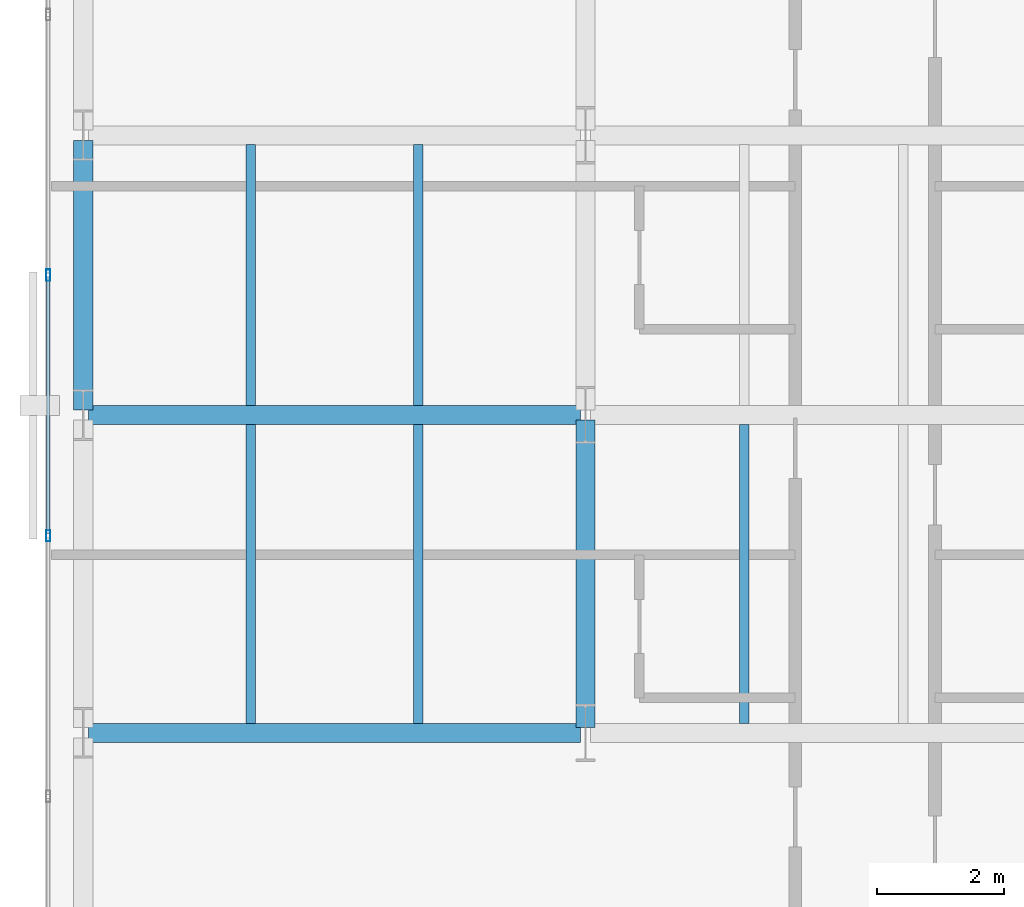
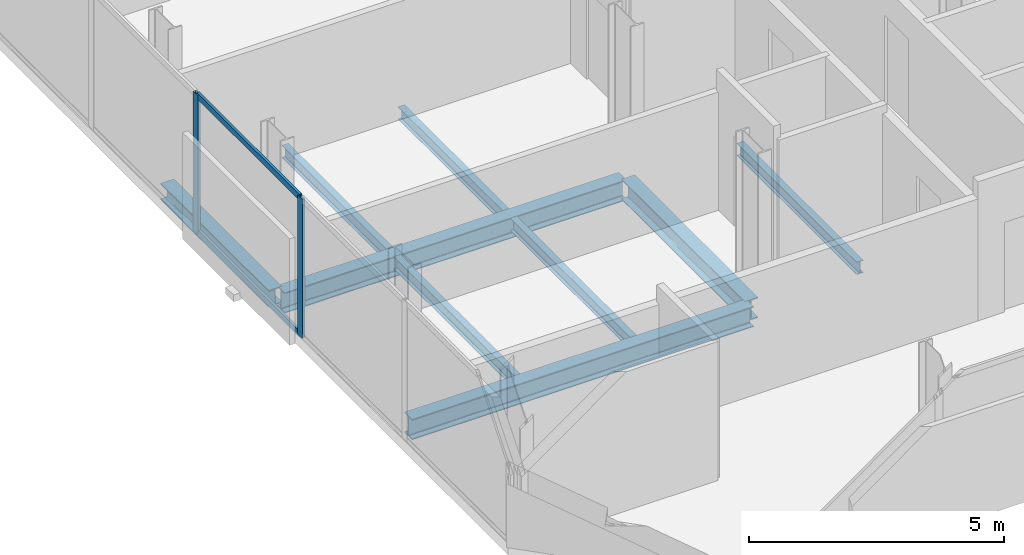
# One storey, part 5 of 32: 9 beams, 4 members, 1 element without a shape of its own.
"""IFC4 building model written with IfcOpenShell, lengths in metres."""

from ifc_helpers import new_model, si_unit, direction, frame, origin, origin_2d, place, context, subcontext, project, spatial, hollow_rectangle, i_section, extrude, material, layer, layer_set, material_profile, profile_set, type_object, element, aggregate, save


model = new_model("IFC4")

# Units and contexts
model_context = context("Model", 3, precision=1e-05, world=origin(), true_north=direction((0.0, 1.0)))
body_context = subcontext(model_context, "Body", "Model", "MODEL_VIEW")
ifc_project = project(units=[si_unit("LENGTHUNIT", "METRE"), si_unit("AREAUNIT", "SQUARE_METRE"), si_unit("VOLUMEUNIT", "CUBIC_METRE"), si_unit("PLANEANGLEUNIT", "RADIAN"), si_unit("MASSUNIT", "GRAM", prefix="KILO")], contexts=[model_context])

# Site, building, storey
site_placement = place(None, origin())
site = spatial("IfcSite", under=ifc_project, at=site_placement, CompositionType="ELEMENT")
building_placement = place(site_placement, origin())
building = spatial("IfcBuilding", under=site, at=building_placement, Name="Catumbela Crestline Tower", CompositionType="ELEMENT")
storey_placement = place(building_placement, frame((0.0, 0.0, 69.0)))
storey = spatial("IfcBuildingStorey", under=building, at=storey_placement, Name="L17", CompositionType="ELEMENT", Elevation=69.0)

# Beams
ifc_material_1 = material(Name="Structural steel S355J2", Category="steel")
ifc_material_profile_1 = material_profile(ifc_material_1, i_section(OverallWidth=0.3, OverallDepth=0.49, WebThickness=0.012, FlangeThickness=0.023, FilletRadius=0.027, at=origin_2d()), Name="HEA 500")
ifc_profile_set_1 = profile_set([ifc_material_profile_1], Name="Structural steel S355J2")
beam_type_1 = type_object("IfcBeamType", Name="BG-HEA500", PredefinedType="BEAM", material=ifc_profile_set_1)
for number, where, z_axis, x_axis, name in (
    (1, (0.68, 8.6, -0.505), (1.0, 0.0, 0.0), (0.0, 1.0, 0.0), "L17 Beam BM-L17-WEW48"),
    (2, (0.68, 13.6, -0.505), (1.0, 0.0, 0.0), (0.0, 1.0, 0.0), "L17 Beam BM-L17-WEW51"),
):
    element("IfcBeam", number, at=place(storey_placement, frame(where, z_axis=z_axis, x_axis=x_axis)), inside=storey, type_object=beam_type_1, Name=name, PredefinedType="BEAM", context=body_context, shape_type="SweptSolid", body=[
        extrude(i_section(OverallWidth=0.3, OverallDepth=0.49, WebThickness=0.012, FlangeThickness=0.023, FilletRadius=0.027, at=origin_2d()), origin(), (0.0, 0.0, 1.0), 7.74),
    ])
beam_1_placement = place(storey_placement, frame((8.5, 8.68, -0.505), z_axis=(0.0, 1.0, 0.0), x_axis=(-1.0, 0.0, 0.0)))
element("IfcBeam", 3, at=beam_1_placement, inside=storey, type_object=beam_type_1, Name="L17 Beam BM-L17-WNS61", PredefinedType="BEAM", context=body_context, shape_type="SweptSolid", body=[
    extrude(i_section(OverallWidth=0.3, OverallDepth=0.49, WebThickness=0.012, FlangeThickness=0.023, FilletRadius=0.027, at=origin_2d()), origin(), (0.0, 0.0, 1.0), 4.84),
])
ifc_material_profile_2 = material_profile(ifc_material_1, i_section(OverallWidth=0.15, OverallDepth=0.3, WebThickness=0.0071, FlangeThickness=0.0107, FilletRadius=0.015, at=origin_2d()), Name="IPE 300")
ifc_profile_set_2 = profile_set([ifc_material_profile_2], Name="Structural steel S355J2")
beam_type_2 = type_object("IfcBeamType", Name="BJ-IPE300", PredefinedType="JOIST", material=ifc_profile_set_2)
for number, where, z_axis, x_axis, name in (
    (4, (3.233, 8.747, -0.41), (0.0, 1.0, 0.0), (-1.0, 0.0, 0.0), "L17 Joist JS-L17-WG70"),
    (5, (5.867, 8.747, -0.41), (0.0, 1.0, 0.0), (-1.0, 0.0, 0.0), "L17 Joist JS-L17-WG71"),
    (6, (11.0, 8.747, -0.41), (0.0, 1.0, 0.0), (-1.0, 0.0, 0.0), "L17 Joist JS-L17-WG72"),
):
    element("IfcBeam", number, at=place(storey_placement, frame(where, z_axis=z_axis, x_axis=x_axis)), inside=storey, type_object=beam_type_2, Name=name, PredefinedType="JOIST", context=body_context, shape_type="SweptSolid", body=[
        extrude(i_section(OverallWidth=0.15, OverallDepth=0.3, WebThickness=0.0071, FlangeThickness=0.0107, FilletRadius=0.015, at=origin_2d()), origin(), (0.0, 0.0, 1.0), 4.706),
    ])
for number, where, z_axis, x_axis, name in (
    (7, (3.233, 13.747, -0.41), (0.0, 1.0, 0.0), (-1.0, 0.0, 0.0), "L17 Joist JS-L17-WG76"),
    (8, (5.867, 13.747, -0.41), (0.0, 1.0, 0.0), (-1.0, 0.0, 0.0), "L17 Joist JS-L17-WG77"),
):
    element("IfcBeam", number, at=place(storey_placement, frame(where, z_axis=z_axis, x_axis=x_axis)), inside=storey, type_object=beam_type_2, Name=name, PredefinedType="JOIST", context=body_context, shape_type="SweptSolid", body=[
        extrude(i_section(OverallWidth=0.15, OverallDepth=0.3, WebThickness=0.0071, FlangeThickness=0.0107, FilletRadius=0.015, at=origin_2d()), origin(), (0.0, 0.0, 1.0), 4.106),
    ])

# Curtain wall, members
ifc_material_2 = material(Name="Aluminium alloy AW-6060-T66", Category="aluminium")
ifc_layer = layer(ifc_material_2, 0.18, Name="Aluminium alloy AW-6060-T66")
ifc_layer_set = layer_set([ifc_layer], Name="Aluminium alloy AW-6060-T66")
curtain_wall_type = type_object("IfcCurtainWallType", Name="CWU-Z1", PredefinedType="USERDEFINED", material=ifc_layer_set)
curtain_wall_placement = place(storey_placement, origin())
curtain_wall = element("IfcCurtainWall", 9, at=curtain_wall_placement, inside=storey, type_object=curtain_wall_type, Name="L17 Unitised Curtain Wall CW-L17-E9S1", ObjectType="UNITISED", PredefinedType="USERDEFINED")
ifc_material_profile_3 = material_profile(ifc_material_2, hollow_rectangle(XDim=0.065, YDim=0.18, WallThickness=0.004, at=origin_2d()), Name="ALU 180x65x4")
ifc_profile_set_3 = profile_set([ifc_material_profile_3], Name="Aluminium alloy AW-6060-T66")
member_type_1 = type_object("IfcMemberType", Name="MUL-180X65", PredefinedType="MULLION", material=ifc_profile_set_3)
member_1_placement = place(storey_placement, frame((0.05, 15.8, 0.0), z_axis=(0.0, 0.0, 1.0), x_axis=(1.0, 0.0, 0.0)))
member_1 = element("IfcMember", 10, at=member_1_placement, type_object=member_type_1, Name="CWU-Z1 mullion 8", PredefinedType="MULLION", context=body_context, shape_type="SweptSolid", body=[
    extrude(hollow_rectangle(XDim=0.065, YDim=0.18, WallThickness=0.004, at=origin_2d()), origin(), (0.0, 0.0, 1.0), 3.33),
])
member_2_placement = place(storey_placement, frame((0.05, 11.7, 0.0), z_axis=(0.0, 0.0, 1.0), x_axis=(1.0, 0.0, 0.0)))
member_2 = element("IfcMember", 11, at=member_2_placement, type_object=member_type_1, Name="CWU-Z1 mullion 9", PredefinedType="MULLION", context=body_context, shape_type="SweptSolid", body=[
    extrude(hollow_rectangle(XDim=0.065, YDim=0.18, WallThickness=0.004, at=origin_2d()), origin(), (0.0, 0.0, 1.0), 3.33),
])

# Beam
ifc_material_profile_4 = material_profile(ifc_material_1, i_section(OverallWidth=0.3, OverallDepth=0.4, WebThickness=0.0135, FlangeThickness=0.024, FilletRadius=0.027, at=origin_2d()), Name="HEB 400")
ifc_profile_set_4 = profile_set([ifc_material_profile_4], Name="Structural steel S355J2")
beam_type_3 = type_object("IfcBeamType", Name="BS-HEB400", PredefinedType="SPANDREL", material=ifc_profile_set_4)
beam_2_placement = place(storey_placement, frame((0.6, 13.68, -0.46), z_axis=(0.0, 1.0, 0.0), x_axis=(-1.0, 0.0, 0.0)))
element("IfcBeam", 12, at=beam_2_placement, inside=storey, type_object=beam_type_3, Name="L17 Spandrel SP-L17-WNS59", PredefinedType="SPANDREL", context=body_context, shape_type="SweptSolid", body=[
    extrude(i_section(OverallWidth=0.3, OverallDepth=0.4, WebThickness=0.0135, FlangeThickness=0.024, FilletRadius=0.027, at=origin_2d()), origin(), (0.0, 0.0, 1.0), 4.24),
])

# Member
ifc_material_profile_5 = material_profile(ifc_material_2, hollow_rectangle(XDim=0.06, YDim=0.14, WallThickness=0.004, at=origin_2d()), Name="ALU 140x60x4")
ifc_profile_set_5 = profile_set([ifc_material_profile_5], Name="Aluminium alloy AW-6060-T66")
member_type_2 = type_object("IfcMemberType", Name="TRN-140X60", PredefinedType="USERDEFINED", material=ifc_profile_set_5)
member_3_placement = place(storey_placement, frame((0.05, 15.7675, 0.03), z_axis=(0.0, -1.0, 0.0), x_axis=(1.0, 0.0, 0.0)))
member_3 = element("IfcMember", 13, at=member_3_placement, type_object=member_type_2, Name="CWU-Z1 transom 8.1", ObjectType="TRANSOM", PredefinedType="USERDEFINED", context=body_context, shape_type="SweptSolid", body=[
    extrude(hollow_rectangle(XDim=0.06, YDim=0.14, WallThickness=0.004, at=origin_2d()), origin(), (0.0, 0.0, 1.0), 4.035),
])

member_4_placement = place(storey_placement, frame((0.05, 15.7675, 3.3), z_axis=(0.0, -1.0, 0.0), x_axis=(1.0, 0.0, 0.0)))
member_4 = element("IfcMember", 14, at=member_4_placement, type_object=member_type_2, Name="CWU-Z1 transom 8.2", ObjectType="TRANSOM", PredefinedType="USERDEFINED", context=body_context, shape_type="SweptSolid", body=[
    extrude(hollow_rectangle(XDim=0.06, YDim=0.14, WallThickness=0.004, at=origin_2d()), origin(), (0.0, 0.0, 1.0), 4.035),
])

aggregate(curtain_wall, [member_1, member_2, member_3, member_4])

save(model, "model.ifc")
